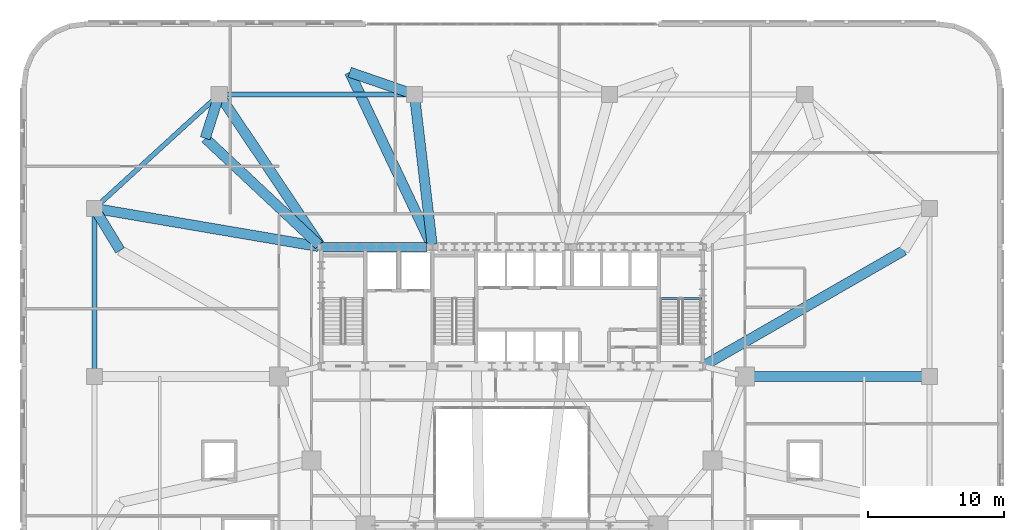
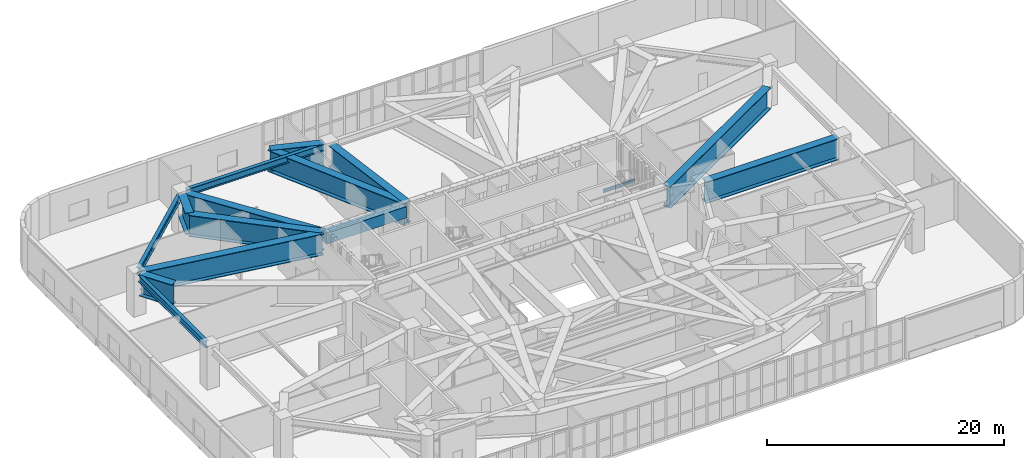
# One storey, part 9 of 26: 15 beams.
"""IFC4 building model written with IfcOpenShell, lengths in metres."""

from ifc_helpers import new_model, si_unit, direction, frame, origin, origin_2d, place, context, subcontext, project, spatial, rectangle, i_section, extrude, material, material_profile, profile_set, type_object, element, save


model = new_model("IFC4")

# Units and contexts
model_context = context("Model", 3, precision=1e-05, world=origin(), true_north=direction((0.0, 1.0)))
body_context = subcontext(model_context, "Body", "Model", "MODEL_VIEW")
ifc_project = project(units=[si_unit("LENGTHUNIT", "METRE"), si_unit("AREAUNIT", "SQUARE_METRE"), si_unit("VOLUMEUNIT", "CUBIC_METRE"), si_unit("PLANEANGLEUNIT", "RADIAN"), si_unit("MASSUNIT", "GRAM", prefix="KILO")], contexts=[model_context])

# Site, building, storey
site_placement = place(None, origin())
site = spatial("IfcSite", under=ifc_project, at=site_placement, CompositionType="ELEMENT")
building_placement = place(site_placement, origin())
building = spatial("IfcBuilding", under=site, at=building_placement, Name="Haldorwick Loom Tower", CompositionType="ELEMENT")
storey_placement = place(building_placement, frame((0.0, 0.0, 19.5)))
storey = spatial("IfcBuildingStorey", under=building, at=storey_placement, Name="L04", CompositionType="ELEMENT", Elevation=19.5)

# Beams
ifc_material_1 = material(Name="Concrete C60 (60 MPa)", Category="concrete")
ifc_material_profile_1 = material_profile(ifc_material_1, rectangle(XDim=0.699951171875, YDim=1.14990234375, at=origin_2d()), Name="RC700X1150", Category="concrete")
ifc_profile_set_1 = profile_set([ifc_material_profile_1], Name="Concrete C60 (60 MPa)")
beam_type_1 = type_object("IfcBeamType", Name="STR-BM-CB1150", PredefinedType="LINTEL", material=ifc_profile_set_1)
beam_1_placement = place(storey_placement, frame((21.89990234375, 35.550048828125, 3.64501953125), z_axis=(1.0, 0.0, 0.0), x_axis=(0.0, 1.0, 0.0)))
element("IfcBeam", 1, at=beam_1_placement, inside=storey, type_object=beam_type_1, Name="L04 Core Coupling Beam CB-N1", PredefinedType="LINTEL", context=body_context, shape_type="SweptSolid", body=[
    extrude(rectangle(XDim=0.699951171875, YDim=1.14990234375, at=origin_2d()), origin(), (0.0, 0.0, 1.0), 7.800048828125),
])
ifc_material_2 = material(Name="Steel CSA G40.21 350W", Category="steel")
ifc_material_profile_2 = material_profile(ifc_material_2, i_section(OverallWidth=0.35498046875, OverallDepth=0.695068359375, WebThickness=0.015380859375, FlangeThickness=0.02490234375, at=origin_2d()), Name="W690X217", Category="steel")
ifc_profile_set_2 = profile_set([ifc_material_profile_2], Name="Steel CSA G40.21 350W")
beam_type_2 = type_object("IfcBeamType", Name="STR-BM-SP690", PredefinedType="SPANDREL", material=ifc_profile_set_2)
beam_2_placement = place(storey_placement, frame((28.320068359375, 46.800048828125, 3.87255859375), z_axis=(-1.0, 0.0, 0.0), x_axis=(0.0, -1.0, 0.0)))
element("IfcBeam", 2, at=beam_2_placement, inside=storey, type_object=beam_type_2, Name="L04 Podium Spandrel PSP-N3", PredefinedType="SPANDREL", context=body_context, shape_type="SweptSolid", body=[
    extrude(i_section(OverallWidth=0.35498046875, OverallDepth=0.695068359375, WebThickness=0.015380859375, FlangeThickness=0.02490234375, at=origin_2d()), origin(), (0.0, 0.0, 1.0), 13.440185546875),
])
beam_3_placement = place(storey_placement, frame((14.04541015625, 46.476318359375, 3.87255859375), z_axis=(-0.738482735745, -0.674272384876, 0.0), x_axis=(0.674272384876, -0.738482735745, 0.0)))
element("IfcBeam", 3, at=beam_3_placement, inside=storey, type_object=beam_type_2, Name="L04 Podium Spandrel PSP-N4", PredefinedType="SPANDREL", context=body_context, shape_type="SweptSolid", body=[
    extrude(i_section(OverallWidth=0.35498046875, OverallDepth=0.695068359375, WebThickness=0.015380859375, FlangeThickness=0.02490234375, at=origin_2d()), origin(), (0.0, 0.0, 1.0), 11.497802734375),
])
beam_4_placement = place(storey_placement, frame((5.199951171875, 37.919921875, 3.87255859375), z_axis=(0.0, -1.0, 0.0), x_axis=(1.0, 0.0, 0.0)))
element("IfcBeam", 4, at=beam_4_placement, inside=storey, type_object=beam_type_2, Name="L04 Podium Spandrel PSP-W1", PredefinedType="SPANDREL", context=body_context, shape_type="SweptSolid", body=[
    extrude(i_section(OverallWidth=0.35498046875, OverallDepth=0.695068359375, WebThickness=0.015380859375, FlangeThickness=0.02490234375, at=origin_2d()), origin(), (0.0, 0.0, 1.0), 11.43994140625),
])
ifc_material_profile_3 = material_profile(ifc_material_2, i_section(OverallWidth=0.166015625, OverallDepth=0.31298828125, WebThickness=0.006591796875, FlangeThickness=0.01123046875, at=origin_2d()), Name="W310X45", Category="steel")
ifc_profile_set_3 = profile_set([ifc_material_profile_3], Name="Steel CSA G40.21 350W")
beam_type_3 = type_object("IfcBeamType", Name="STR-BM-STRM", PredefinedType="BEAM", material=ifc_profile_set_3)
beam_5_placement = place(storey_placement, frame((46.889892578125, 31.760009765625, 1.8935546875), z_axis=(1.0, 0.0, 0.0), x_axis=(0.0, 1.0, 0.0)))
element("IfcBeam", 5, at=beam_5_placement, inside=storey, type_object=beam_type_3, Name="L04 Stair ST-02 Half-Landing Trimmer 1", PredefinedType="BEAM", context=body_context, shape_type="SweptSolid", body=[
    extrude(i_section(OverallWidth=0.166015625, OverallDepth=0.31298828125, WebThickness=0.006591796875, FlangeThickness=0.01123046875, at=origin_2d()), origin(), (0.0, 0.0, 1.0), 3.1201171875),
])
ifc_material_3 = material(Name="Steel CSA G40.21 350WT", Category="steel")
ifc_material_profile_4 = material_profile(ifc_material_3, i_section(OverallWidth=0.75, OverallDepth=2.199951171875, WebThickness=0.030029296875, FlangeThickness=0.054931640625, at=origin_2d()), Name="WWF2200X750", Category="steel")
ifc_profile_set_4 = profile_set([ifc_material_profile_4], Name="Steel CSA G40.21 350WT")
beam_type_4 = type_object("IfcBeamType", Name="STR-BM-TG2200", PredefinedType="BEAM", material=ifc_profile_set_4)
beam_6_placement = place(storey_placement, frame((5.6435546875, 38.324462890625, 3.1201171875), z_axis=(0.985799279017, -0.167927905632, 0.0), x_axis=(0.167927905632, 0.985799279017, 0.0)))
element("IfcBeam", 6, at=beam_6_placement, inside=storey, type_object=beam_type_4, Name="L04 Podium Primary Girder PG-10", PredefinedType="BEAM", context=body_context, shape_type="SweptSolid", body=[
    extrude(i_section(OverallWidth=0.75, OverallDepth=2.199951171875, WebThickness=0.030029296875, FlangeThickness=0.054931640625, at=origin_2d()), origin(), (0.0, 0.0, 1.0), 16.296142578125),
])
beam_7_placement = place(storey_placement, frame((14.650390625, 46.426025390625, 3.1201171875), z_axis=(0.556223597649, -0.831032676504, 0.0), x_axis=(0.831032676504, 0.556223597649, 0.0)))
element("IfcBeam", 7, at=beam_7_placement, inside=storey, type_object=beam_type_4, Name="L04 Podium Primary Girder PG-12", PredefinedType="BEAM", context=body_context, shape_type="SweptSolid", body=[
    extrude(i_section(OverallWidth=0.75, OverallDepth=2.199951171875, WebThickness=0.030029296875, FlangeThickness=0.054931640625, at=origin_2d()), origin(), (0.0, 0.0, 1.0), 12.8623046875),
])
beam_8_placement = place(storey_placement, frame((28.852783203125, 46.35302734375, 3.1201171875), z_axis=(0.11740367245, -0.993084275223, 0.0), x_axis=(0.993084275223, 0.11740367245, 0.0)))
element("IfcBeam", 8, at=beam_8_placement, inside=storey, type_object=beam_type_4, Name="L04 Podium Primary Girder PG-13", PredefinedType="BEAM", context=body_context, shape_type="SweptSolid", body=[
    extrude(i_section(OverallWidth=0.75, OverallDepth=2.199951171875, WebThickness=0.030029296875, FlangeThickness=0.054931640625, at=origin_2d()), origin(), (0.0, 0.0, 1.0), 10.6533203125),
])
beam_9_placement = place(storey_placement, frame((53.425048828125, 26.0, 3.1201171875), z_axis=(1.0, 0.0, 0.0), x_axis=(0.0, 1.0, 0.0)))
element("IfcBeam", 9, at=beam_9_placement, inside=storey, type_object=beam_type_4, Name="L04 Radial Transfer Girder 1", PredefinedType="BEAM", context=body_context, shape_type="SweptSolid", body=[
    extrude(i_section(OverallWidth=0.75, OverallDepth=2.199951171875, WebThickness=0.030029296875, FlangeThickness=0.054931640625, at=origin_2d()), origin(), (0.0, 0.0, 1.0), 12.925048828125),
])
beam_10_placement = place(storey_placement, frame((50.264892578125, 26.8623046875, 3.1201171875), z_axis=(0.866605238703, 0.498994348919, 0.0), x_axis=(-0.498994348919, 0.866605238703, 0.0)))
element("IfcBeam", 10, at=beam_10_placement, inside=storey, type_object=beam_type_4, Name="L04 Radial Transfer Girder 2 Inner", PredefinedType="BEAM", context=body_context, shape_type="SweptSolid", body=[
    extrude(i_section(OverallWidth=0.75, OverallDepth=2.199951171875, WebThickness=0.030029296875, FlangeThickness=0.054931640625, at=origin_2d()), origin(), (0.0, 0.0, 1.0), 16.907958984375),
])
beam_11_placement = place(storey_placement, frame((30.03369140625, 35.75341796875, 3.1201171875), z_axis=(-0.427938421627, 0.903807892915, 0.0), x_axis=(-0.903807892915, -0.427938421627, 0.0)))
element("IfcBeam", 11, at=beam_11_placement, inside=storey, type_object=beam_type_4, Name="L04 Radial Transfer Girder 6 Inner", PredefinedType="BEAM", context=body_context, shape_type="SweptSolid", body=[
    extrude(i_section(OverallWidth=0.75, OverallDepth=2.199951171875, WebThickness=0.030029296875, FlangeThickness=0.054931640625, at=origin_2d()), origin(), (0.0, 0.0, 1.0), 14.048095703125),
])
beam_12_placement = place(storey_placement, frame((24.02197265625, 48.4501953125, 3.1201171875), z_axis=(0.945224709216, -0.326420356422, 0.0), x_axis=(0.326420356422, 0.945224709216, 0.0)))
element("IfcBeam", 12, at=beam_12_placement, inside=storey, type_object=beam_type_4, Name="L04 Radial Transfer Girder 6 Outer", PredefinedType="BEAM", context=body_context, shape_type="SweptSolid", body=[
    extrude(i_section(OverallWidth=0.75, OverallDepth=2.199951171875, WebThickness=0.030029296875, FlangeThickness=0.054931640625, at=origin_2d()), origin(), (0.0, 0.0, 1.0), 4.60498046875),
])
beam_13_placement = place(storey_placement, frame((21.765869140625, 35.703857421875, 3.1201171875), z_axis=(-0.729692020561, 0.683775953899, 0.0), x_axis=(-0.683775953899, -0.729692020561, 0.0)))
element("IfcBeam", 13, at=beam_13_placement, inside=storey, type_object=beam_type_4, Name="L04 Radial Transfer Girder 7 Inner", PredefinedType="BEAM", context=body_context, shape_type="SweptSolid", body=[
    extrude(i_section(OverallWidth=0.75, OverallDepth=2.199951171875, WebThickness=0.030029296875, FlangeThickness=0.054931640625, at=origin_2d()), origin(), (0.0, 0.0, 1.0), 11.506103515625),
])
beam_14_placement = place(storey_placement, frame((13.369873046875, 43.571533203125, 3.1201171875), z_axis=(0.303964778978, 0.952683270107, 0.0), x_axis=(-0.952683270107, 0.303964778978, 0.0)))
element("IfcBeam", 14, at=beam_14_placement, inside=storey, type_object=beam_type_4, Name="L04 Radial Transfer Girder 7 Outer", PredefinedType="BEAM", context=body_context, shape_type="SweptSolid", body=[
    extrude(i_section(OverallWidth=0.75, OverallDepth=2.199951171875, WebThickness=0.030029296875, FlangeThickness=0.054931640625, at=origin_2d()), origin(), (0.0, 0.0, 1.0), 2.93896484375),
])
beam_15_placement = place(storey_placement, frame((7.08251953125, 35.29931640625, 3.1201171875), z_axis=(-0.518952068393, 0.854803340372, 0.0), x_axis=(-0.854803340372, -0.518952068393, 0.0)))
element("IfcBeam", 15, at=beam_15_placement, inside=storey, type_object=beam_type_4, Name="L04 Radial Transfer Girder 8 Outer", PredefinedType="BEAM", context=body_context, shape_type="SweptSolid", body=[
    extrude(i_section(OverallWidth=0.75, OverallDepth=2.199951171875, WebThickness=0.030029296875, FlangeThickness=0.054931640625, at=origin_2d()), origin(), (0.0, 0.0, 1.0), 3.177490234375),
])

save(model, "model.ifc")
